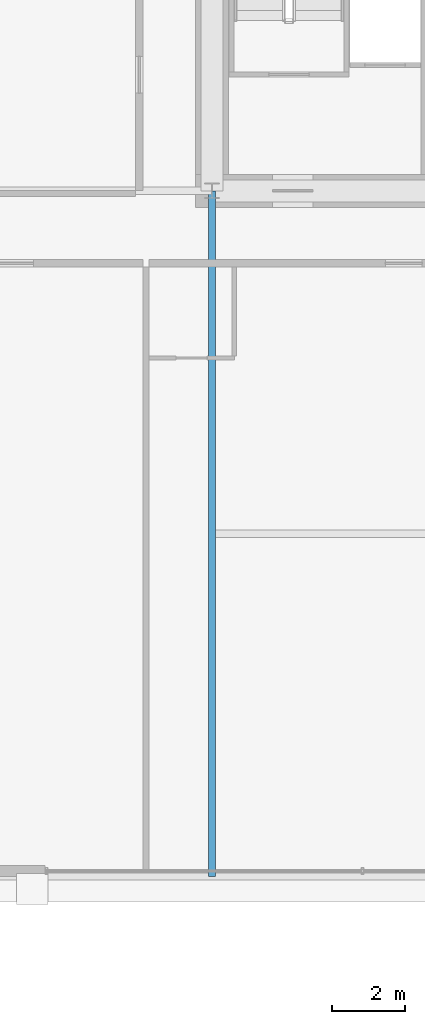
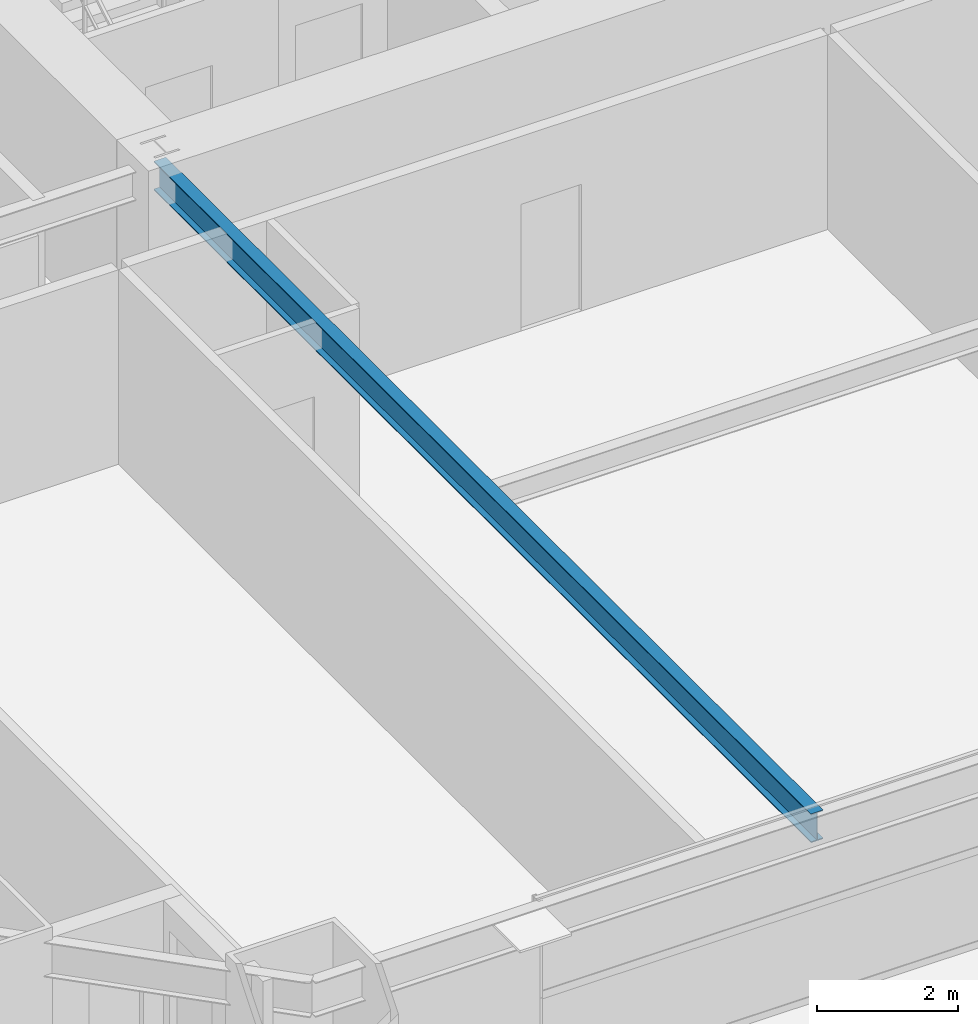
# One storey, part 6 of 43: 1 beam.
"""IFC4 building model written with IfcOpenShell, lengths in metres."""

from ifc_helpers import new_model, si_unit, direction, frame, origin, origin_2d, place, context, subcontext, project, spatial, i_section, extrude, source, transform, mapped, material, material_profile, profile_set, type_object, element, save


model = new_model("IFC4")

# Units and contexts
model_context = context("Model", 3, precision=1e-05, world=origin(), true_north=direction((0.0, 1.0)))
body_context = subcontext(model_context, "Body", "Model", "MODEL_VIEW")
ifc_project = project(units=[si_unit("LENGTHUNIT", "METRE"), si_unit("AREAUNIT", "SQUARE_METRE"), si_unit("VOLUMEUNIT", "CUBIC_METRE"), si_unit("PLANEANGLEUNIT", "RADIAN"), si_unit("MASSUNIT", "GRAM", prefix="KILO"), si_unit("THERMODYNAMICTEMPERATUREUNIT", "KELVIN"), si_unit("POWERUNIT", "WATT")], contexts=[model_context])

# Site, building, storey
site_placement = place(None, origin())
site = spatial("IfcSite", under=ifc_project, at=site_placement, CompositionType="ELEMENT")
building_placement = place(site_placement, origin())
building = spatial("IfcBuilding", under=site, at=building_placement, Name="Yuzanri Waterfront Tower", CompositionType="ELEMENT")
storey_placement = place(building_placement, frame((0.0, 0.0, 78.39990234375)))
storey = spatial("IfcBuildingStorey", under=building, at=storey_placement, Name="L20", CompositionType="ELEMENT", Elevation=78.39990234375)

# Beam
ifc_material = material(Name="Steel Q355B", Category="steel")
ifc_material_profile = material_profile(ifc_material, i_section(OverallWidth=0.199951171875, OverallDepth=0.5, WebThickness=0.010009765625, FlangeThickness=0.01611328125, at=origin_2d()), Name="HN 500x200x10x16")
ifc_profile_set = profile_set([ifc_material_profile], Name="Steel Q355B")
beam_type = type_object("IfcBeamType", Name="Secondary Floor Beam Q355B HN 500x200", PredefinedType="BEAM", material=ifc_profile_set)
shared_shape = source(origin(), body_context, "Body", "SweptSolid", [
    extrude(i_section(OverallWidth=0.199951171875, OverallDepth=0.5, WebThickness=0.010009765625, FlangeThickness=0.01611328125, at=origin_2d()), origin(), (0.0, 0.0, 1.0), 18.699951171875),
])
beam_placement = place(storey_placement, frame((23.800048828125, 19.39990234375, 3.130126953125), z_axis=(0.0, -1.0, 0.0), x_axis=(1.0, 0.0, 0.0)))
element("IfcBeam", 1, at=beam_placement, inside=storey, type_object=beam_type, Name="L20 South-West Core Line Beam", PredefinedType="BEAM", context=body_context, shape_type="MappedRepresentation", body=[
    mapped(shared_shape, transform((0.0, 0.0, 0.0), scale=1.0)),
])

save(model, "model.ifc")
